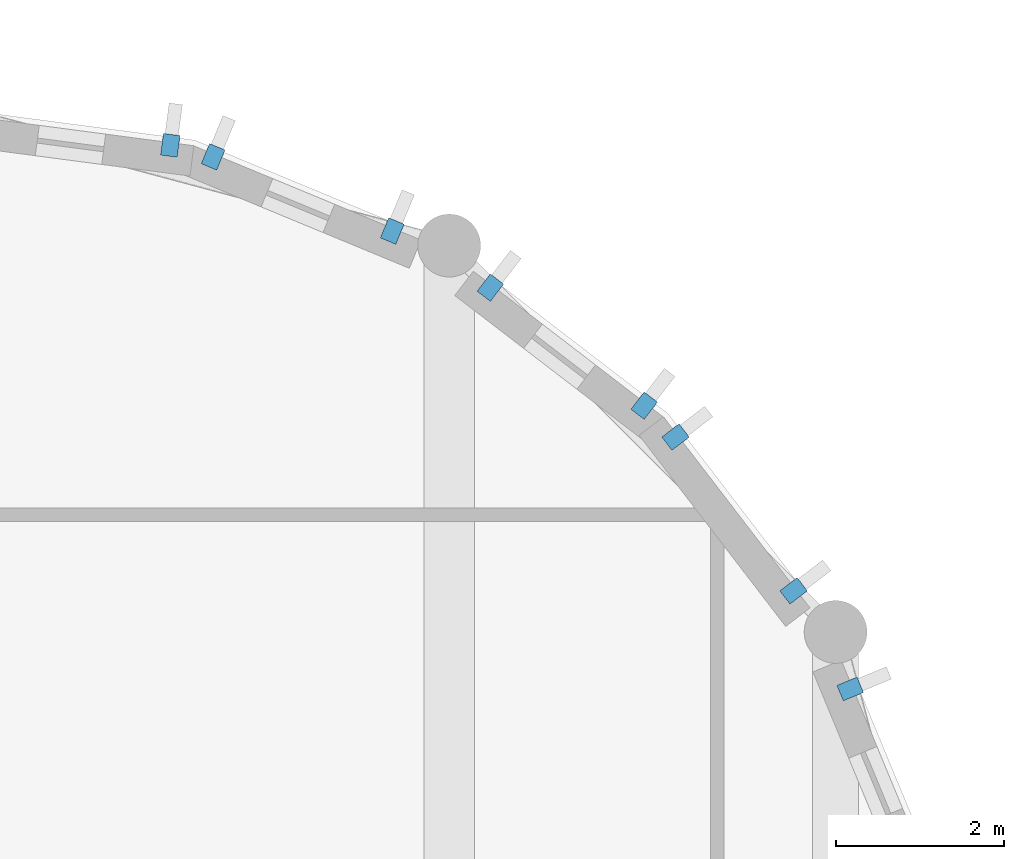
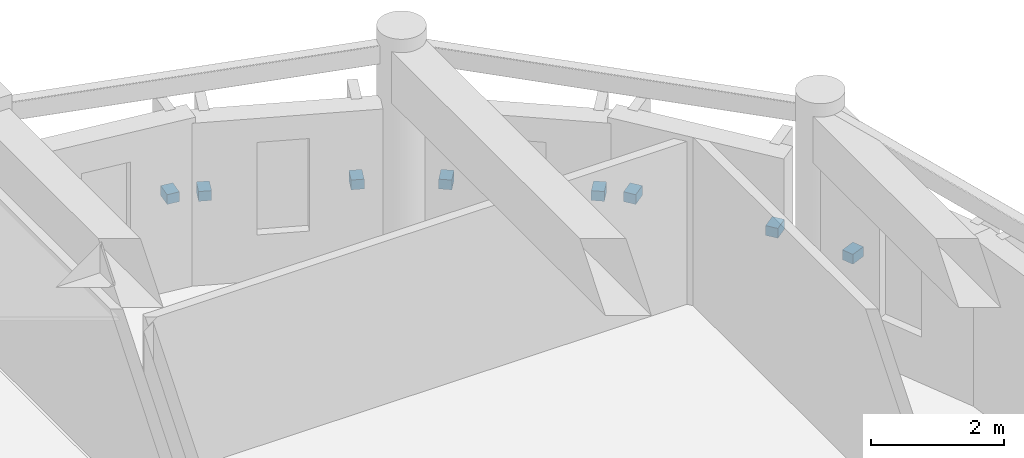
# One storey, part 22 of 31: 8 discrete accessories.
"""IFC4 building model written with IfcOpenShell, lengths in metres."""

from ifc_helpers import new_model, si_unit, direction, frame, origin, origin_2d, place, context, subcontext, project, spatial, rectangle, extrude, material, type_object, element, save


model = new_model("IFC4")

# Units and contexts
model_context = context("Model", 3, precision=1e-05, world=origin(), true_north=direction((0.0, 1.0)))
body_context = subcontext(model_context, "Body", "Model", "MODEL_VIEW")
ifc_project = project(units=[si_unit("LENGTHUNIT", "METRE"), si_unit("AREAUNIT", "SQUARE_METRE"), si_unit("VOLUMEUNIT", "CUBIC_METRE"), si_unit("PLANEANGLEUNIT", "RADIAN"), si_unit("MASSUNIT", "GRAM", prefix="KILO")], contexts=[model_context])

# Site, building, storey
site_placement = place(None, origin())
site = spatial("IfcSite", under=ifc_project, at=site_placement, CompositionType="ELEMENT")
building_placement = place(site_placement, origin())
building = spatial("IfcBuilding", under=site, at=building_placement, Name="Tarnavel Promenade Courthouse", CompositionType="ELEMENT")
storey_placement = place(building_placement, frame((0.0, 0.0, 18.60009765625)))
storey = spatial("IfcBuildingStorey", under=building, at=storey_placement, Name="L05", CompositionType="ELEMENT", Elevation=18.60009765625)

# Discrete accessories
ifc_material = material(Name="Steel S355J2", Category="steel")
discrete_accessory_type = type_object("IfcDiscreteAccessoryType", Name="Steel S355J2 Facade Pier Anchor Bracket", PredefinedType="BRACKET", material=ifc_material)
for number, where, z_axis, x_axis, name in (
    (1, (113.08544921875, 97.419677734375, 1.455078125), (0.0, 0.0, 1.0), (-0.382683432365, 0.923879532511, 0.0), "L05 Drum Pier Bracket 0170"),
    (2, (112.409423828125, 98.590576171875, 1.455078125), (0.0, 0.0, 1.0), (-0.608761429009, 0.793353340291, 0.0), "L05 Drum Pier Bracket 0171"),
    (3, (111.000732421875, 100.426513671875, 1.455078125), (0.0, 0.0, 1.0), (-0.608761429009, 0.793353340291, 0.0), "L05 Drum Pier Bracket 0172"),
    (4, (110.62646484375, 100.80078125, 1.40478515625), (0.0, 0.0, 1.0), (-0.793353340291, 0.608761429009, 0.0), "L05 Drum Pier Bracket 0173"),
    (5, (108.79052734375, 102.20947265625, 1.40478515625), (0.0, 0.0, 1.0), (-0.793353340291, 0.608761429009, 0.0), "L05 Drum Pier Bracket 0174"),
    (6, (107.61962890625, 102.885498046875, 1.40478515625), (0.0, 0.0, 1.0), (-0.923879532511, 0.382683432365, 0.0), "L05 Drum Pier Bracket 0175"),
    (7, (105.4814453125, 103.77099609375, 1.40478515625), (0.0, 0.0, 1.0), (-0.923879532511, 0.382683432365, 0.0), "L05 Drum Pier Bracket 0176"),
    (8, (104.970458984375, 103.908203125, 1.455078125), (0.0, 0.0, 1.0), (-0.991444861374, 0.13052619222, 0.0), "L05 Drum Pier Bracket 0177"),
):
    element("IfcDiscreteAccessory", number, at=place(storey_placement, frame(where, z_axis=z_axis, x_axis=x_axis)), inside=storey, type_object=discrete_accessory_type, Name=name, PredefinedType="BRACKET", context=body_context, shape_type="SweptSolid", body=[
        extrude(rectangle(XDim=0.199951171875, YDim=0.260009765625, at=origin_2d()), origin(), (0.0, 0.0, 1.0), 0.179931640625),
    ])

save(model, "model.ifc")
